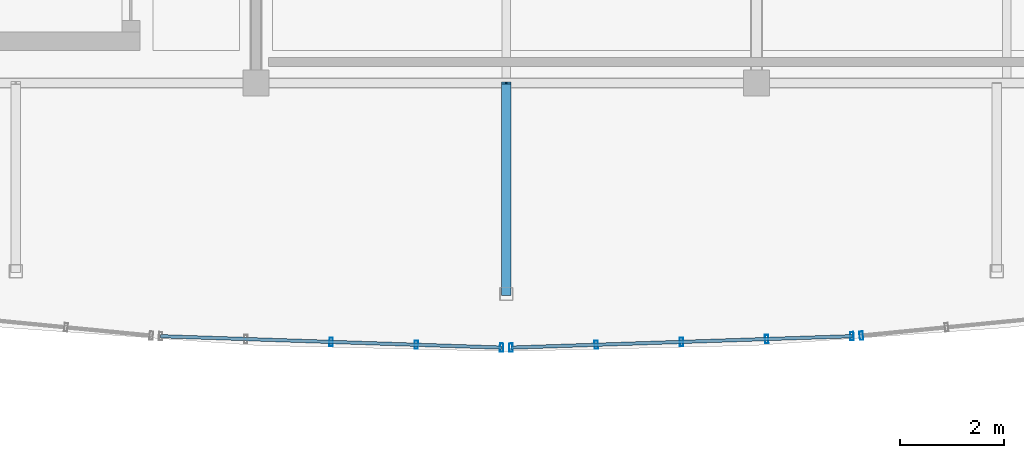
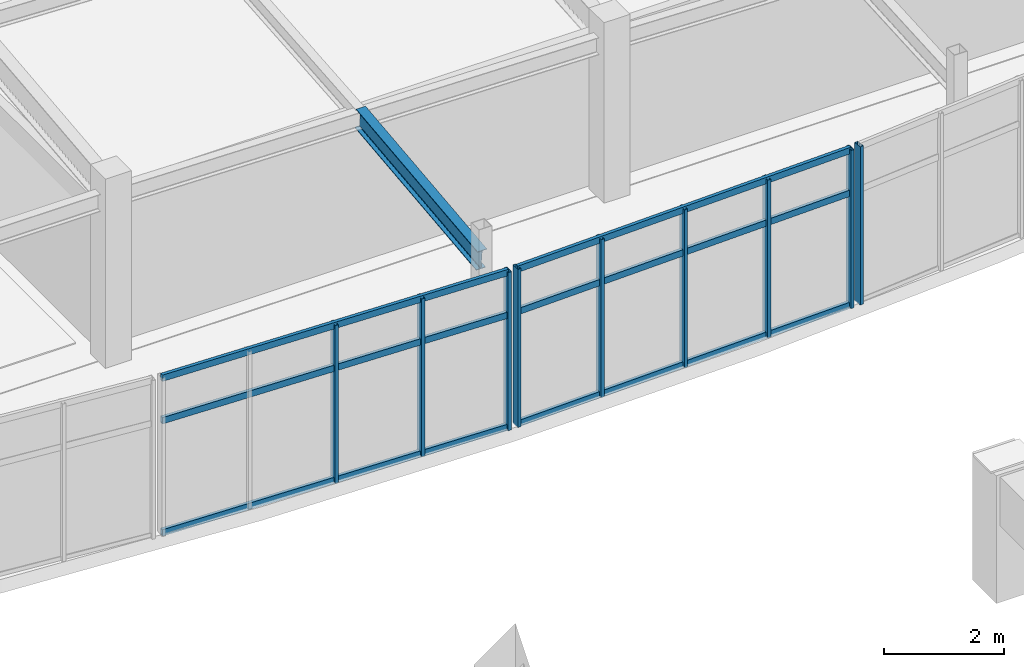
# One storey, part 25 of 65: 16 members, 3 elements without a shape of their own.
"""IFC4 building model written with IfcOpenShell, lengths in metres."""

from ifc_helpers import new_model, si_unit, direction, frame, origin, origin_2d, place, context, subcontext, project, spatial, hollow_rectangle, i_section, extrude, material, layer, layer_set, material_profile, profile_set, type_object, element, aggregate, save


model = new_model("IFC4")

# Units and contexts
model_context = context("Model", 3, precision=1e-05, world=origin(), true_north=direction((0.0, 1.0)))
body_context = subcontext(model_context, "Body", "Model", "MODEL_VIEW")
ifc_project = project(units=[si_unit("LENGTHUNIT", "METRE"), si_unit("AREAUNIT", "SQUARE_METRE"), si_unit("VOLUMEUNIT", "CUBIC_METRE"), si_unit("PLANEANGLEUNIT", "RADIAN"), si_unit("MASSUNIT", "GRAM", prefix="KILO")], contexts=[model_context])

# Site, building, storey
site_placement = place(None, origin())
site = spatial("IfcSite", under=ifc_project, at=site_placement, CompositionType="ELEMENT")
building_placement = place(site_placement, origin())
building = spatial("IfcBuilding", under=site, at=building_placement, Name="Chalmorin Arch Market", CompositionType="ELEMENT")
storey_placement = place(building_placement, frame((0.0, 0.0, 14.10009765625)))
storey = spatial("IfcBuildingStorey", under=building, at=storey_placement, Name="L03", CompositionType="ELEMENT", Elevation=14.10009765625)

# Curtain wall, members
ifc_material_1 = material(Name="Aluminium 6063-T6", Category="aluminium")
ifc_layer_1 = layer(ifc_material_1, 0.159912109375)
ifc_layer_set_1 = layer_set([ifc_layer_1], Name="Aluminium 6063-T6")
curtain_wall_type_1 = type_object("IfcCurtainWallType", Name="CulinaryStudioCurtainWall-CW3-6540x3220", PredefinedType="NOTDEFINED", material=ifc_layer_set_1)
curtain_wall_1_placement = place(storey_placement, origin())
curtain_wall_1 = element("IfcCurtainWall", 1, at=curtain_wall_1_placement, inside=storey, type_object=curtain_wall_type_1, Name="CW-03-164", PredefinedType="NOTDEFINED")
ifc_material_profile_1 = material_profile(ifc_material_1, hollow_rectangle(XDim=0.06494140625, YDim=0.159912109375, WallThickness=0.00390625, at=origin_2d()), Name="ALU65X160X4")
ifc_profile_set_1 = profile_set([ifc_material_profile_1], Name="Aluminium 6063-T6")
member_type_1 = type_object("IfcMemberType", Name="CurtainWallMullion-65x160", PredefinedType="MULLION", material=ifc_profile_set_1)
member_1_placement = place(storey_placement, frame((78.239990234375, 67.032470703125, -0.02001953125), z_axis=(0.0, 0.0, 1.0), x_axis=(0.999390827019, -0.034899496703, 0.0)))
member_1 = element("IfcMember", 2, at=member_1_placement, type_object=member_type_1, Name="ML-164-03", PredefinedType="MULLION", context=body_context, shape_type="SweptSolid", body=[
    extrude(hollow_rectangle(XDim=0.06494140625, YDim=0.159912109375, WallThickness=0.00390625, at=origin_2d()), origin(), (0.0, 0.0, 1.0), 3.219970703125),
])
member_2_placement = place(storey_placement, frame((79.875, 66.977783203125, -0.02001953125), z_axis=(0.0, 0.0, 1.0), x_axis=(0.999390827019, -0.034899496703, 0.0)))
member_2 = element("IfcMember", 3, at=member_2_placement, type_object=member_type_1, Name="ML-164-04", PredefinedType="MULLION", context=body_context, shape_type="SweptSolid", body=[
    extrude(hollow_rectangle(XDim=0.06494140625, YDim=0.159912109375, WallThickness=0.00390625, at=origin_2d()), origin(), (0.0, 0.0, 1.0), 3.219970703125),
])
member_3_placement = place(storey_placement, frame((81.510009765625, 66.923095703125, -0.02001953125), z_axis=(0.0, 0.0, 1.0), x_axis=(0.999390827019, -0.034899496703, 0.0)))
member_3 = element("IfcMember", 4, at=member_3_placement, type_object=member_type_1, Name="ML-164-05", PredefinedType="MULLION", context=body_context, shape_type="SweptSolid", body=[
    extrude(hollow_rectangle(XDim=0.06494140625, YDim=0.159912109375, WallThickness=0.00390625, at=origin_2d()), origin(), (0.0, 0.0, 1.0), 3.219970703125),
])

curtain_wall_2_placement = place(storey_placement, origin())
curtain_wall_2 = element("IfcCurtainWall", 5, at=curtain_wall_2_placement, inside=storey, type_object=curtain_wall_type_1, Name="CW-03-167", PredefinedType="NOTDEFINED")
member_4_placement = place(storey_placement, frame((81.68994140625, 66.923095703125, -0.02001953125), z_axis=(0.0, 0.0, 1.0), x_axis=(0.999390827019, 0.034899496703, 0.0)))
member_4 = element("IfcMember", 6, at=member_4_placement, type_object=member_type_1, Name="ML-167-01", PredefinedType="MULLION", context=body_context, shape_type="SweptSolid", body=[
    extrude(hollow_rectangle(XDim=0.06494140625, YDim=0.159912109375, WallThickness=0.00390625, at=origin_2d()), origin(), (0.0, 0.0, 1.0), 3.219970703125),
])
member_5_placement = place(storey_placement, frame((83.324951171875, 66.977783203125, -0.02001953125), z_axis=(0.0, 0.0, 1.0), x_axis=(0.999390827019, 0.034899496703, 0.0)))
member_5 = element("IfcMember", 7, at=member_5_placement, type_object=member_type_1, Name="ML-167-02", PredefinedType="MULLION", context=body_context, shape_type="SweptSolid", body=[
    extrude(hollow_rectangle(XDim=0.06494140625, YDim=0.159912109375, WallThickness=0.00390625, at=origin_2d()), origin(), (0.0, 0.0, 1.0), 3.219970703125),
])
member_6_placement = place(storey_placement, frame((84.9599609375, 67.032470703125, -0.02001953125), z_axis=(0.0, 0.0, 1.0), x_axis=(0.999390827019, 0.034899496703, 0.0)))
member_6 = element("IfcMember", 8, at=member_6_placement, type_object=member_type_1, Name="ML-167-03", PredefinedType="MULLION", context=body_context, shape_type="SweptSolid", body=[
    extrude(hollow_rectangle(XDim=0.06494140625, YDim=0.159912109375, WallThickness=0.00390625, at=origin_2d()), origin(), (0.0, 0.0, 1.0), 3.219970703125),
])
member_7_placement = place(storey_placement, frame((86.594970703125, 67.087158203125, -0.02001953125), z_axis=(0.0, 0.0, 1.0), x_axis=(0.999390827019, 0.034899496703, 0.0)))
member_7 = element("IfcMember", 9, at=member_7_placement, type_object=member_type_1, Name="ML-167-04", PredefinedType="MULLION", context=body_context, shape_type="SweptSolid", body=[
    extrude(hollow_rectangle(XDim=0.06494140625, YDim=0.159912109375, WallThickness=0.00390625, at=origin_2d()), origin(), (0.0, 0.0, 1.0), 3.219970703125),
])
member_8_placement = place(storey_placement, frame((88.22998046875, 67.14208984375, -0.02001953125), z_axis=(0.0, 0.0, 1.0), x_axis=(0.999390827019, 0.034899496703, 0.0)))
member_8 = element("IfcMember", 10, at=member_8_placement, type_object=member_type_1, Name="ML-167-05", PredefinedType="MULLION", context=body_context, shape_type="SweptSolid", body=[
    extrude(hollow_rectangle(XDim=0.06494140625, YDim=0.159912109375, WallThickness=0.00390625, at=origin_2d()), origin(), (0.0, 0.0, 1.0), 3.219970703125),
])

# Curtain wall, member
ifc_layer_2 = layer(ifc_material_1, 0.159912109375)
ifc_layer_set_2 = layer_set([ifc_layer_2], Name="Aluminium 6063-T6")
curtain_wall_type_2 = type_object("IfcCurtainWallType", Name="CulinaryStudioCurtainWall-CW3-6570x3220", PredefinedType="NOTDEFINED", material=ifc_layer_set_2)
curtain_wall_3_placement = place(storey_placement, origin())
curtain_wall_3 = element("IfcCurtainWall", 11, at=curtain_wall_3_placement, inside=storey, type_object=curtain_wall_type_2, Name="CW-03-170", PredefinedType="NOTDEFINED")
member_9_placement = place(storey_placement, frame((88.40966796875, 67.15380859375, -0.02001953125), z_axis=(0.0, 0.0, 1.0), x_axis=(0.994521895368, 0.104528463268, 0.0)))
member_9 = element("IfcMember", 12, at=member_9_placement, type_object=member_type_1, Name="ML-170-01", PredefinedType="MULLION", context=body_context, shape_type="SweptSolid", body=[
    extrude(hollow_rectangle(XDim=0.06494140625, YDim=0.159912109375, WallThickness=0.00390625, at=origin_2d()), origin(), (0.0, 0.0, 1.0), 3.223876953125),
])
aggregate(curtain_wall_3, [member_9])

# Member
ifc_material_profile_2 = material_profile(ifc_material_1, hollow_rectangle(XDim=0.06494140625, YDim=0.1298828125, WallThickness=0.00390625, at=origin_2d()), Name="ALU65X130X4")
ifc_profile_set_2 = profile_set([ifc_material_profile_2], Name="Aluminium 6063-T6")
member_type_2 = type_object("IfcMemberType", Name="CurtainWallTransom-65x130", PredefinedType="USERDEFINED", material=ifc_profile_set_2)
member_10_placement = place(storey_placement, frame((74.969970703125, 67.14208984375, 0.014892578125), z_axis=(0.999439843627, -0.033466385685, 0.0), x_axis=(0.033466385685, 0.999439843627, 0.0)))
member_10 = element("IfcMember", 13, at=member_10_placement, type_object=member_type_2, Name="TR-164-01", ObjectType="TRANSOM", PredefinedType="USERDEFINED", context=body_context, shape_type="SweptSolid", body=[
    extrude(hollow_rectangle(XDim=0.06494140625, YDim=0.1298828125, WallThickness=0.00390625, at=origin_2d()), origin(), (0.0, 0.0, 1.0), 6.543701171875),
])

member_11_placement = place(storey_placement, frame((74.969970703125, 67.14208984375, 2.29833984375), z_axis=(0.999439843627, -0.033466385685, 0.0), x_axis=(0.033466385685, 0.999439843627, 0.0)))
member_11 = element("IfcMember", 14, at=member_11_placement, type_object=member_type_2, Name="TR-164-02", ObjectType="TRANSOM", PredefinedType="USERDEFINED", context=body_context, shape_type="SweptSolid", body=[
    extrude(hollow_rectangle(XDim=0.06494140625, YDim=0.1298828125, WallThickness=0.00390625, at=origin_2d()), origin(), (0.0, 0.0, 1.0), 6.543701171875),
])

member_12_placement = place(storey_placement, frame((74.969970703125, 67.14208984375, 3.164794921875), z_axis=(0.999439843627, -0.033466385685, 0.0), x_axis=(0.033466385685, 0.999439843627, 0.0)))
member_12 = element("IfcMember", 15, at=member_12_placement, type_object=member_type_2, Name="TR-164-03", ObjectType="TRANSOM", PredefinedType="USERDEFINED", context=body_context, shape_type="SweptSolid", body=[
    extrude(hollow_rectangle(XDim=0.06494140625, YDim=0.1298828125, WallThickness=0.00390625, at=origin_2d()), origin(), (0.0, 0.0, 1.0), 6.543701171875),
])

aggregate(curtain_wall_1, [member_1, member_2, member_3, member_10, member_11, member_12])

member_13_placement = place(storey_placement, frame((81.68994140625, 66.923095703125, 0.014892578125), z_axis=(0.999439843627, 0.033466385685, 0.0), x_axis=(-0.033466385685, 0.999439843627, 0.0)))
member_13 = element("IfcMember", 16, at=member_13_placement, type_object=member_type_2, Name="TR-167-01", ObjectType="TRANSOM", PredefinedType="USERDEFINED", context=body_context, shape_type="SweptSolid", body=[
    extrude(hollow_rectangle(XDim=0.06494140625, YDim=0.1298828125, WallThickness=0.00390625, at=origin_2d()), origin(), (0.0, 0.0, 1.0), 6.543701171875),
])

member_14_placement = place(storey_placement, frame((81.68994140625, 66.923095703125, 2.29833984375), z_axis=(0.999439843627, 0.033466385685, 0.0), x_axis=(-0.033466385685, 0.999439843627, 0.0)))
member_14 = element("IfcMember", 17, at=member_14_placement, type_object=member_type_2, Name="TR-167-02", ObjectType="TRANSOM", PredefinedType="USERDEFINED", context=body_context, shape_type="SweptSolid", body=[
    extrude(hollow_rectangle(XDim=0.06494140625, YDim=0.1298828125, WallThickness=0.00390625, at=origin_2d()), origin(), (0.0, 0.0, 1.0), 6.543701171875),
])

member_15_placement = place(storey_placement, frame((81.68994140625, 66.923095703125, 3.164794921875), z_axis=(0.999439843627, 0.033466385685, 0.0), x_axis=(-0.033466385685, 0.999439843627, 0.0)))
member_15 = element("IfcMember", 18, at=member_15_placement, type_object=member_type_2, Name="TR-167-03", ObjectType="TRANSOM", PredefinedType="USERDEFINED", context=body_context, shape_type="SweptSolid", body=[
    extrude(hollow_rectangle(XDim=0.06494140625, YDim=0.1298828125, WallThickness=0.00390625, at=origin_2d()), origin(), (0.0, 0.0, 1.0), 6.543701171875),
])

aggregate(curtain_wall_2, [member_4, member_5, member_6, member_7, member_8, member_13, member_14, member_15])

ifc_material_2 = material(Name="Steel A992 Grade 50", Category="steel")
ifc_material_profile_3 = material_profile(ifc_material_2, i_section(OverallWidth=0.178955078125, OverallDepth=0.409912109375, WebThickness=0.0087890625, FlangeThickness=0.014404296875, FilletRadius=0.01806640625, at=origin_2d()), Name="W16X45")
ifc_profile_set_3 = profile_set([ifc_material_profile_3], Name="Steel A992 Grade 50")
member_type_3 = type_object("IfcMemberType", Name="RoofSteelPurlin-W16X45", PredefinedType="PURLIN", material=ifc_profile_set_3)
member_16_placement = place(storey_placement, frame((81.60009765625, 67.949951171875, 2.751953125), z_axis=(0.0, 0.993911468232, 0.110181637837), x_axis=(-1.0, 0.0, 0.0)))
element("IfcMember", 19, at=member_16_placement, inside=storey, type_object=member_type_3, Name="PR-W16-0132", PredefinedType="PURLIN", context=body_context, shape_type="SweptSolid", body=[
    extrude(i_section(OverallWidth=0.178955078125, OverallDepth=0.409912109375, WebThickness=0.0087890625, FlangeThickness=0.014404296875, FilletRadius=0.01806640625, at=origin_2d()), origin(), (0.0, 0.0, 1.0), 4.074951171875),
])

save(model, "model.ifc")
